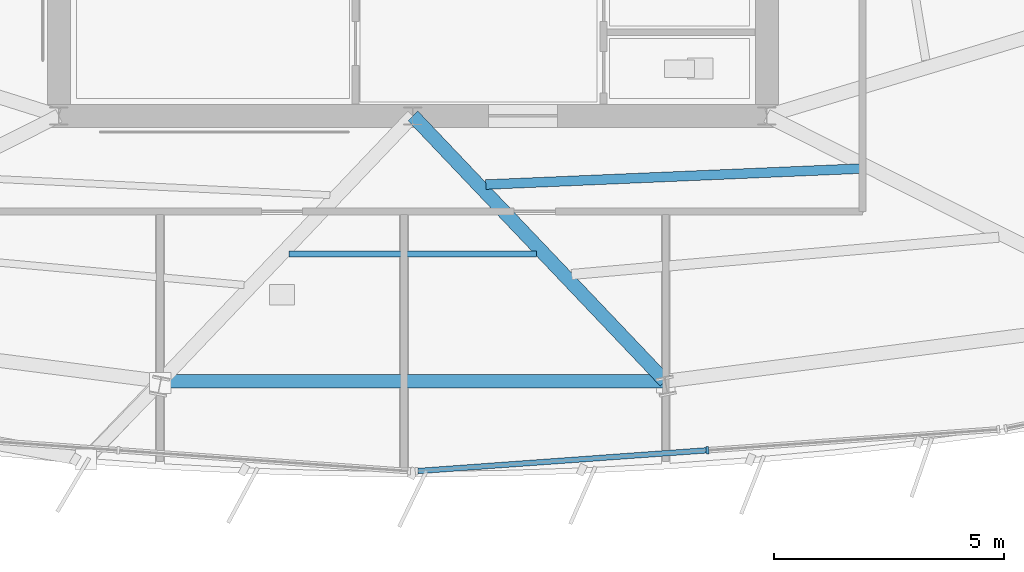
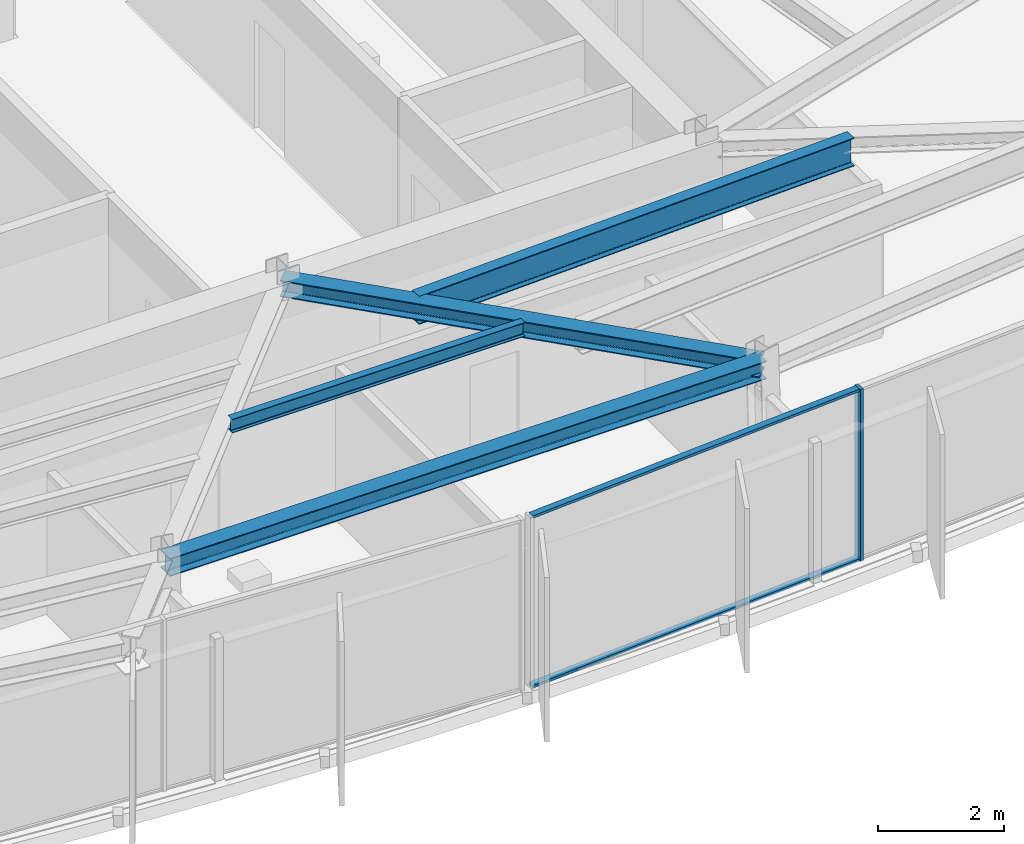
# One storey, part 3 of 13: 4 beams, 3 members, 1 element without a shape of its own.
"""IFC4 building model written with IfcOpenShell, lengths in metres."""

from ifc_helpers import new_model, si_unit, direction, frame, origin, origin_2d, place, context, subcontext, project, spatial, rectangle, i_section, extrude, material, material_profile, profile_set, type_object, element, aggregate, save


model = new_model("IFC4")

# Units and contexts
model_context = context("Model", 3, precision=1e-05, world=origin(), true_north=direction((0.0, 1.0)))
body_context = subcontext(model_context, "Body", "Model", "MODEL_VIEW")
ifc_project = project(units=[si_unit("LENGTHUNIT", "METRE"), si_unit("AREAUNIT", "SQUARE_METRE"), si_unit("VOLUMEUNIT", "CUBIC_METRE"), si_unit("PLANEANGLEUNIT", "RADIAN"), si_unit("MASSUNIT", "GRAM", prefix="KILO")], contexts=[model_context])

# Site, building, storey
site_placement = place(None, origin())
site = spatial("IfcSite", under=ifc_project, at=site_placement, CompositionType="ELEMENT")
building_placement = place(site_placement, origin())
building = spatial("IfcBuilding", under=site, at=building_placement, Name="Savorim Split Tower", CompositionType="ELEMENT")
storey_placement = place(building_placement, frame((0.0, 0.0, 223.5)))
storey = spatial("IfcBuildingStorey", under=building, at=storey_placement, Name="L59", CompositionType="ELEMENT", Elevation=223.5)

# Beams
ifc_material_1 = material(Name="Steel S355", Category="steel")
ifc_material_profile_1 = material_profile(ifc_material_1, i_section(OverallWidth=0.135009765625, OverallDepth=0.27001953125, WebThickness=0.006591796875, FlangeThickness=0.01025390625, FilletRadius=0.014892578125, at=origin_2d()), Name="IPE 270")
ifc_profile_set_1 = profile_set([ifc_material_profile_1], Name="Steel S355")
beam_type_1 = type_object("IfcBeamType", Name="BM-JST-IPE270", PredefinedType="JOIST", material=ifc_profile_set_1)
beam_1_placement = place(storey_placement, frame((-2.693603515625, -12.4013671875, 3.215087890625), z_axis=(1.0, 0.0, 0.0), x_axis=(0.0, 1.0, 0.0)))
element("IfcBeam", 1, at=beam_1_placement, inside=storey, type_object=beam_type_1, Name="L59 Secondary Floor Joist JS-03", PredefinedType="JOIST", context=body_context, shape_type="SweptSolid", body=[
    extrude(i_section(OverallWidth=0.135009765625, OverallDepth=0.27001953125, WebThickness=0.006591796875, FlangeThickness=0.01025390625, FilletRadius=0.014892578125, at=origin_2d()), origin(), (0.0, 0.0, 1.0), 5.38720703125),
])
ifc_material_profile_2 = material_profile(ifc_material_1, i_section(OverallWidth=0.2099609375, OverallDepth=0.550048828125, WebThickness=0.010986328125, FlangeThickness=0.01708984375, FilletRadius=0.02392578125, at=origin_2d()), Name="IPE 550")
ifc_profile_set_2 = profile_set([ifc_material_profile_2], Name="Steel S355")
beam_type_2 = type_object("IfcBeamType", Name="BM-JST-IPE550", PredefinedType="JOIST", material=ifc_profile_set_2)
beam_2_placement = place(storey_placement, frame((1.586669921875, -10.893798828125, 3.074951171875), z_axis=(0.999094282446, 0.042551319408, 0.0), x_axis=(-0.042551319408, 0.999094282446, 0.0)))
element("IfcBeam", 2, at=beam_2_placement, inside=storey, type_object=beam_type_2, Name="L59 Secondary Floor Joist JS-05", PredefinedType="JOIST", context=body_context, shape_type="SweptSolid", body=[
    extrude(i_section(OverallWidth=0.2099609375, OverallDepth=0.550048828125, WebThickness=0.010986328125, FlangeThickness=0.01708984375, FilletRadius=0.02392578125, at=origin_2d()), origin(), (0.0, 0.0, 1.0), 8.216064453125),
])
ifc_material_profile_3 = material_profile(ifc_material_1, i_section(OverallWidth=0.300048828125, OverallDepth=0.320068359375, WebThickness=0.011474609375, FlangeThickness=0.0205078125, FilletRadius=0.027099609375, at=origin_2d()), Name="HEB 320")
ifc_profile_set_3 = profile_set([ifc_material_profile_3], Name="Steel S355")
beam_type_3 = type_object("IfcBeamType", Name="BM-PRI-HEB320", PredefinedType="BEAM", material=ifc_profile_set_3)
beam_3_placement = place(storey_placement, frame((5.48779296875, -15.171875, 3.18994140625), z_axis=(-0.689041042326, 0.72472232061, 0.0), x_axis=(-0.72472232061, -0.689041042326, 0.0)))
element("IfcBeam", 3, at=beam_3_placement, inside=storey, type_object=beam_type_3, Name="L59 Primary Floor Girder RG-03", PredefinedType="BEAM", context=body_context, shape_type="SweptSolid", body=[
    extrude(i_section(OverallWidth=0.300048828125, OverallDepth=0.320068359375, WebThickness=0.011474609375, FlangeThickness=0.0205078125, FilletRadius=0.027099609375, at=origin_2d()), origin(), (0.0, 0.0, 1.0), 7.96435546875),
])
ifc_material_profile_4 = material_profile(ifc_material_1, i_section(OverallWidth=0.300048828125, OverallDepth=0.35009765625, WebThickness=0.010009765625, FlangeThickness=0.017578125, FilletRadius=0.027099609375, at=origin_2d()), Name="HEA 360")
ifc_profile_set_4 = profile_set([ifc_material_profile_4], Name="Steel S355")
beam_type_4 = type_object("IfcBeamType", Name="BM-SPN-HEA360", PredefinedType="SPANDREL", material=ifc_profile_set_4)
beam_4_placement = place(storey_placement, frame((-5.48779296875, -15.171875, 3.175048828125), z_axis=(1.0, 0.0, 0.0), x_axis=(0.0, 1.0, 0.0)))
element("IfcBeam", 4, at=beam_4_placement, inside=storey, type_object=beam_type_4, Name="L59 Perimeter Spandrel Beam 2", PredefinedType="SPANDREL", context=body_context, shape_type="SweptSolid", body=[
    extrude(i_section(OverallWidth=0.300048828125, OverallDepth=0.35009765625, WebThickness=0.010009765625, FlangeThickness=0.017578125, FilletRadius=0.027099609375, at=origin_2d()), origin(), (0.0, 0.0, 1.0), 10.9755859375),
])

# Curtain wall, members
ifc_material_2 = material(Name="Dark Ceramic-Fritted Insulated Glass", Category="glass")
curtain_wall_type = type_object("IfcCurtainWallType", Name="CW-TWR-FRIT-B", PredefinedType="NOTDEFINED", material=ifc_material_2)
curtain_wall_placement = place(storey_placement, origin())
curtain_wall = element("IfcCurtainWall", 5, at=curtain_wall_placement, inside=storey, type_object=curtain_wall_type, Name="L59 Curtain Wall CW-L59-SF3", PredefinedType="NOTDEFINED")
ifc_material_3 = material(Name="Charcoal Anodised Aluminium", Category="aluminium")
ifc_material_profile_5 = material_profile(ifc_material_3, rectangle(XDim=0.159912109375, YDim=0.06005859375, at=origin_2d()), Name="ALU-M 160x60")
ifc_profile_set_5 = profile_set([ifc_material_profile_5], Name="Charcoal Anodised Aluminium")
member_type_1 = type_object("IfcMemberType", Name="CWM-160x60", PredefinedType="MULLION", material=ifc_profile_set_5)
member_1_placement = place(storey_placement, frame((6.40673828125, -16.6728515625, 0.0), z_axis=(0.0, 0.0, 1.0), x_axis=(-0.071558224136, 0.997436424319, 0.0)))
member_1 = element("IfcMember", 6, at=member_1_placement, type_object=member_type_1, Name="CW-03 mullion 2", PredefinedType="MULLION", context=body_context, shape_type="SweptSolid", body=[
    extrude(rectangle(XDim=0.159912109375, YDim=0.06005859375, at=origin_2d()), origin(), (0.0, 0.0, 1.0), 3.35009765625),
])
ifc_material_profile_6 = material_profile(ifc_material_3, rectangle(XDim=0.1201171875, YDim=0.050048828125, at=origin_2d()), Name="ALU-T 120x50")
ifc_profile_set_6 = profile_set([ifc_material_profile_6], Name="Charcoal Anodised Aluminium")
member_type_2 = type_object("IfcMemberType", Name="CWT-120x50", PredefinedType="USERDEFINED", material=ifc_profile_set_6)
member_2_placement = place(storey_placement, frame((0.111083984375, -17.12451171875, 0.02490234375), z_axis=(0.997436952169, 0.071550866153, 0.0), x_axis=(-0.071550866153, 0.997436952169, 0.0)))
member_2 = element("IfcMember", 7, at=member_2_placement, type_object=member_type_2, Name="CW-03 transom 1.1", ObjectType="TRANSOM", PredefinedType="USERDEFINED", context=body_context, shape_type="SweptSolid", body=[
    extrude(rectangle(XDim=0.1201171875, YDim=0.050048828125, at=origin_2d()), origin(), (0.0, 0.0, 1.0), 6.28173828125),
])
member_3_placement = place(storey_placement, frame((0.111083984375, -17.12451171875, 3.324951171875), z_axis=(0.997436952169, 0.071550866153, 0.0), x_axis=(-0.071550866153, 0.997436952169, 0.0)))
member_3 = element("IfcMember", 8, at=member_3_placement, type_object=member_type_2, Name="CW-03 transom 1.2", ObjectType="TRANSOM", PredefinedType="USERDEFINED", context=body_context, shape_type="SweptSolid", body=[
    extrude(rectangle(XDim=0.1201171875, YDim=0.050048828125, at=origin_2d()), origin(), (0.0, 0.0, 1.0), 6.28173828125),
])
aggregate(curtain_wall, [member_1, member_2, member_3])

save(model, "model.ifc")
